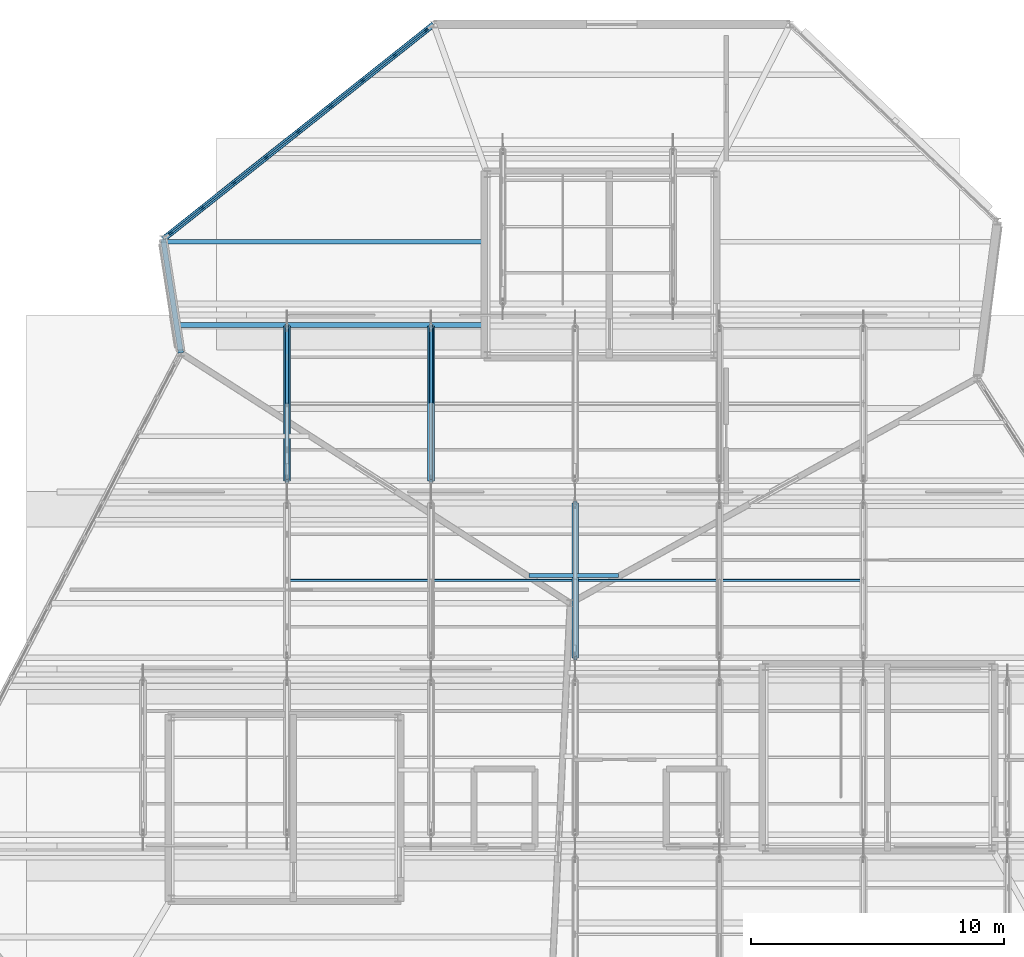
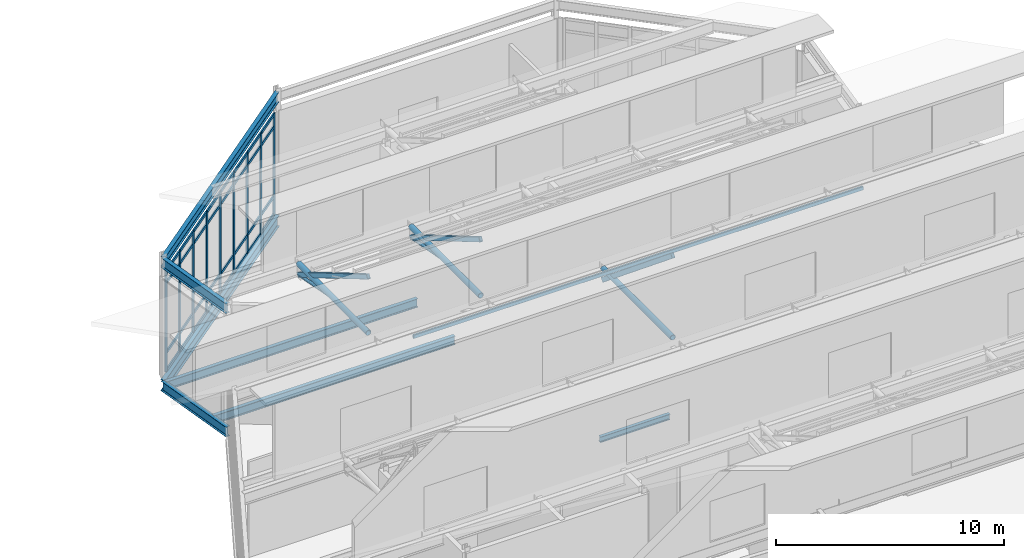
# One storey, part 27 of 55: 49 members, 8 beams, 1 element without a shape of its own.
"""IFC4 building model written with IfcOpenShell, lengths in metres."""

import ifcopenshell
import ifcopenshell.guid

model = None  # the IFC model being written
_history = None  # IfcOwnerHistory: only IFC2X3 demands one
_inside = {}  # id of a spatial element -> (the spatial element, [elements in it])
_under = {}  # id of a project, library or spatial element -> (it, [spatial elements below it])
_declared = {}  # id of a project -> (the project, [libraries it declares])
_typed = {}  # id of a type object -> (the type object, [elements of that type])
_made_of = {}  # id of a material, layer set ... -> (it, [elements and type objects made of it])


def new_model(schema):
    """Start an empty IFC model of exactly this schema.

    Asked for "IFC4X3", IfcOpenShell would pick the latest addendum, in which some entities
    have other attributes; the version numbers below select the first issue.
    IFC2X3 requires an IfcOwnerHistory on every rooted entity: one is made here for all.
    """
    global model, _history
    if schema == "IFC4X3":
        model = ifcopenshell.file(schema_version=(4, 3, 0, 0))
    else:
        model = ifcopenshell.file(schema=schema)
    _inside.clear()
    _under.clear()
    _declared.clear()
    _typed.clear()
    _made_of.clear()
    _history = None
    if model.schema == "IFC2X3":
        org = make("IfcOrganization", Name="unknown")
        user = make(
            "IfcPersonAndOrganization",
            ThePerson=make("IfcPerson", FamilyName="unknown"),
            TheOrganization=org,
        )
        app = make(
            "IfcApplication",
            ApplicationDeveloper=org,
            Version="unknown",
            ApplicationFullName="unknown",
            ApplicationIdentifier="unknown",
        )
        _history = make(
            "IfcOwnerHistory",
            OwningUser=user,
            OwningApplication=app,
            ChangeAction="ADDED",
            CreationDate=0,
        )
    return model


def make(cls, **values):
    """One entity of the class cls with the attributes given. An attribute that is None is left unset."""
    return model.create_entity(
        cls, **{name: value for name, value in values.items() if value is not None}
    )


def rooted(cls, **values):
    """An entity with a GlobalId (a new one), such as an element, a storey or a relation."""
    return make(cls, GlobalId=ifcopenshell.guid.new(), OwnerHistory=_history, **values)


def si_unit(unit_type, name, prefix=None):
    """IfcSIUnit, for example si_unit("LENGTHUNIT", "METRE", prefix="MILLI")."""
    return make("IfcSIUnit", UnitType=unit_type, Prefix=prefix, Name=name)


def assignment(units):
    """IfcUnitAssignment: the units of a project."""
    return None if units is None else make("IfcUnitAssignment", Units=units)


def point(xyz):
    """IfcCartesianPoint."""
    return None if xyz is None else make("IfcCartesianPoint", Coordinates=xyz)


def direction(xyz):
    """IfcDirection."""
    return None if xyz is None else make("IfcDirection", DirectionRatios=xyz)


def frame(location, z_axis=None, x_axis=None):
    """IfcAxis2Placement3D, a coordinate frame: its origin and axes. An axis left out is left unset."""
    return make(
        "IfcAxis2Placement3D",
        Location=point(location),
        Axis=direction(z_axis),
        RefDirection=direction(x_axis),
    )


def frame_2d(location, x_axis=None):
    """IfcAxis2Placement2D, a coordinate frame in the plane: its origin and x axis."""
    return make(
        "IfcAxis2Placement2D", Location=point(location), RefDirection=direction(x_axis)
    )


def origin():
    """The frame at (0, 0, 0) with its axes left unset."""
    return frame((0.0, 0.0, 0.0))


def origin_2d():
    """The frame at (0, 0) in the plane with its x axis left unset."""
    return frame_2d((0.0, 0.0))


def place(relative_to, where):
    """IfcLocalPlacement: puts the frame where relative to a parent placement (None: the world)."""
    return make(
        "IfcLocalPlacement", PlacementRelTo=relative_to, RelativePlacement=where
    )


def context(
    kind, dimensions, precision=None, world=None, true_north=None, identifier=None
):
    """IfcGeometricRepresentationContext, for example the 3D "Model" context."""
    return make(
        "IfcGeometricRepresentationContext",
        ContextIdentifier=identifier,
        ContextType=kind,
        CoordinateSpaceDimension=dimensions,
        Precision=precision,
        WorldCoordinateSystem=world,
        TrueNorth=true_north,
    )


def subcontext(parent, identifier, kind, view, scale=None):
    """IfcGeometricRepresentationSubContext, for example "Body" below "Model"."""
    return make(
        "IfcGeometricRepresentationSubContext",
        ContextIdentifier=identifier,
        ContextType=kind,
        ParentContext=parent,
        TargetScale=scale,
        TargetView=view,
    )


def project(units=None, contexts=None):
    """IfcProject with its units and contexts."""
    return rooted(
        "IfcProject",
        Name="project",
        RepresentationContexts=contexts,
        UnitsInContext=assignment(units),
    )


def spatial(cls, under=None, at=None, **own):
    """A site, building, storey or space (cls), placed at a placement, below another one or the project."""
    s = rooted(cls, ObjectPlacement=at, **own)
    if under is not None:
        _under.setdefault(under.id(), (under, []))[1].append(s)
    return s


def profile(cls, at=None, kind="AREA", **sizes):
    """A parametric profile (cls). Its sizes go by their IFC names, for example OverallWidth=200.0."""
    return make(cls, ProfileType=kind, Position=at, **sizes)


def rectangle(**sizes):
    """IfcRectangleProfileDef."""
    return profile("IfcRectangleProfileDef", **sizes)


def hollow_rectangle(**sizes):
    """IfcRectangleHollowProfileDef."""
    return profile("IfcRectangleHollowProfileDef", **sizes)


def hollow_circle(**sizes):
    """IfcCircleHollowProfileDef."""
    return profile("IfcCircleHollowProfileDef", **sizes)


def i_section(**sizes):
    """IfcIShapeProfileDef."""
    return profile("IfcIShapeProfileDef", **sizes)


def extrude(swept, where, along, depth):
    """IfcExtrudedAreaSolid: the profile swept, set in the frame where, extruded along a direction by depth."""
    return make(
        "IfcExtrudedAreaSolid",
        SweptArea=swept,
        Position=where,
        ExtrudedDirection=direction(along),
        Depth=depth,
    )


def shape(context_of_items, identifier, shape_type, items):
    """IfcShapeRepresentation: the items that make up one representation, for example the "Body"."""
    return make(
        "IfcShapeRepresentation",
        ContextOfItems=context_of_items,
        RepresentationIdentifier=identifier,
        RepresentationType=shape_type,
        Items=items,
    )


def material(Name=None, Category=None):
    """IfcMaterial."""
    return make("IfcMaterial", Name=Name, Category=Category)


def material_profile(
    of_material, cross_section, Name=None, Category=None, Priority=None
):
    """IfcMaterialProfile: a cross section and its material."""
    return make(
        "IfcMaterialProfile",
        Name=Name,
        Material=of_material,
        Profile=cross_section,
        Priority=Priority,
        Category=Category,
    )


def profile_set(profiles, Name=None, composite=None):
    """IfcMaterialProfileSet."""
    return make(
        "IfcMaterialProfileSet",
        Name=Name,
        MaterialProfiles=profiles,
        CompositeProfile=composite,
    )


def made_of(thing, what):
    """Note that an element or type object is made of a material, layer set ...; save() writes the relation."""
    if what is not None:
        _made_of.setdefault(what.id(), (what, []))[1].append(thing)
    return thing


def type_object(cls, material=None, **own):
    """A type object (cls), such as IfcWallType, which elements share."""
    return made_of(rooted(cls, **own), material)


def element(
    cls,
    number,
    at=None,
    inside=None,
    cuts=None,
    type_object=None,
    material=None,
    context=None,
    identifier="Body",
    shape_type=None,
    held_by="IfcProductDefinitionShape",
    body=None,
    shapes=None,
    **own,
):
    """One element of the class cls, such as IfcWall. Its Tag is "e" and its number.

    at: its placement. inside: the storey or other place that contains it. cuts: it is an
    opening in that element (IfcRelVoidsElement). A single representation is given by context,
    identifier, shape_type and body (its items); several are given by shapes. held_by: the class
    of the entity that holds the representations. save() writes the other relations.
    """
    e = rooted(cls, Tag="e%d" % number, ObjectPlacement=at, **own)
    if body is not None:
        shapes = [shape(context, identifier, shape_type, body)]
    if shapes is not None:
        e.Representation = make(held_by, Representations=shapes)
    if inside is not None:
        _inside.setdefault(inside.id(), (inside, []))[1].append(e)
    if cuts is not None:
        rooted(
            "IfcRelVoidsElement", RelatingBuildingElement=cuts, RelatedOpeningElement=e
        )
    if type_object is not None:
        _typed.setdefault(type_object.id(), (type_object, []))[1].append(e)
    return made_of(e, material)


def aggregate(whole, parts):
    """IfcRelAggregates: a whole, such as a stair, and the parts it consists of."""
    return rooted("IfcRelAggregates", RelatingObject=whole, RelatedObjects=parts)


def save(model, path):
    """Write the relations noted so far, then the file.

    IfcRelAggregates (storeys below a building ...), IfcRelContainedInSpatialStructure (elements
    in a storey), IfcRelDefinesByType, IfcRelAssociatesMaterial and IfcRelDeclares: one each for
    every whole, place, type object, material and project.
    """
    for whole, parts in _under.values():
        aggregate(whole, parts)
    for where, things in _inside.values():
        rooted(
            "IfcRelContainedInSpatialStructure",
            RelatedElements=things,
            RelatingStructure=where,
        )
    for kind, things in _typed.values():
        rooted("IfcRelDefinesByType", RelatedObjects=things, RelatingType=kind)
    for what, things in _made_of.values():
        rooted("IfcRelAssociatesMaterial", RelatedObjects=things, RelatingMaterial=what)
    for by, libraries in _declared.values():
        rooted("IfcRelDeclares", RelatingContext=by, RelatedDefinitions=libraries)
    model.write(path)


model = new_model("IFC4")

# Units and contexts
model_context = context("Model", 3, precision=1e-05, world=origin(), true_north=direction((0.0, 1.0)))
body_context = subcontext(model_context, "Body", "Model", "MODEL_VIEW")
ifc_project = project(units=[si_unit("LENGTHUNIT", "METRE"), si_unit("AREAUNIT", "SQUARE_METRE"), si_unit("VOLUMEUNIT", "CUBIC_METRE"), si_unit("PLANEANGLEUNIT", "RADIAN"), si_unit("MASSUNIT", "GRAM", prefix="KILO")], contexts=[model_context])

# Site, building, storey
site_placement = place(None, origin())
site = spatial("IfcSite", under=ifc_project, at=site_placement, CompositionType="ELEMENT")
building_placement = place(site_placement, origin())
building = spatial("IfcBuilding", under=site, at=building_placement, Name="Tameran Prism Museum", CompositionType="ELEMENT")
storey_placement = place(building_placement, frame((0.0, 0.0, 28.800048828125)))
storey = spatial("IfcBuildingStorey", under=building, at=storey_placement, Name="L05", CompositionType="ELEMENT", Elevation=28.800048828125)

# Beams
ifc_material_1 = material(Name="Steel Grade 300PLUS (300 MPa)", Category="steel")
ifc_material_profile_1 = material_profile(ifc_material_1, i_section(OverallWidth=0.1650390625, OverallDepth=0.303955078125, WebThickness=0.006103515625, FlangeThickness=0.01025390625, FilletRadius=0.011474609375, at=origin_2d()))
ifc_profile_set_1 = profile_set([ifc_material_profile_1])
beam_type_1 = type_object("IfcBeamType", Name="BM-J310B", PredefinedType="JOIST", material=ifc_profile_set_1)
beam_1_placement = place(storey_placement, frame((117.1630859375, 90.199951171875, -0.39208984375), z_axis=(1.0, 0.0, 0.0), x_axis=(0.0, 1.0, 0.0)))
element("IfcBeam", 1, at=beam_1_placement, inside=storey, type_object=beam_type_1, Name="Floor Beam BM-1306", PredefinedType="JOIST", context=body_context, shape_type="SweptSolid", body=[
    extrude(i_section(OverallWidth=0.1650390625, OverallDepth=0.303955078125, WebThickness=0.006103515625, FlangeThickness=0.01025390625, FilletRadius=0.011474609375, at=origin_2d()), origin(), (0.0, 0.0, 1.0), 3.5439453125),
])
ifc_material_2 = material(Name="Steel Grade 300PLUS (300 MPa)", Category="steel")
ifc_material_profile_2 = material_profile(ifc_material_2, i_section(OverallWidth=0.18994140625, OverallDepth=0.4541015625, WebThickness=0.008544921875, FlangeThickness=0.0126953125, FilletRadius=0.011474609375, at=origin_2d()))
ifc_profile_set_2 = profile_set([ifc_material_profile_2])
beam_type_2 = type_object("IfcBeamType", Name="BM-J460B", PredefinedType="JOIST", material=ifc_profile_set_2)
beam_2_placement = place(storey_placement, frame((103.26904296875, 100.10009765625, -0.467041015625), z_axis=(1.0, 0.0, 0.0), x_axis=(0.0, 1.0, 0.0)))
element("IfcBeam", 2, at=beam_2_placement, inside=storey, type_object=beam_type_2, Name="Floor Beam BM-1309", PredefinedType="JOIST", context=body_context, shape_type="SweptSolid", body=[
    extrude(i_section(OverallWidth=0.18994140625, OverallDepth=0.4541015625, WebThickness=0.008544921875, FlangeThickness=0.0126953125, FilletRadius=0.011474609375, at=origin_2d()), origin(), (0.0, 0.0, 1.0), 12.2509765625),
])
beam_3_placement = place(storey_placement, frame((102.756103515625, 103.39990234375, -0.467041015625), z_axis=(1.0, 0.0, 0.0), x_axis=(0.0, 1.0, 0.0)))
element("IfcBeam", 3, at=beam_3_placement, inside=storey, type_object=beam_type_2, Name="Floor Beam BM-1311", PredefinedType="JOIST", context=body_context, shape_type="SweptSolid", body=[
    extrude(i_section(OverallWidth=0.18994140625, OverallDepth=0.4541015625, WebThickness=0.008544921875, FlangeThickness=0.0126953125, FilletRadius=0.011474609375, at=origin_2d()), origin(), (0.0, 0.0, 1.0), 12.763916015625),
])
ifc_material_3 = material(Name="Steel Grade C350L0 (350 MPa)", Category="steel")
ifc_material_profile_3 = material_profile(ifc_material_3, hollow_rectangle(XDim=0.10009765625, YDim=0.199951171875, WallThickness=0.008056640625, InnerFilletRadius=0.011962890625, OuterFilletRadius=0.02001953125, at=origin_2d()))
ifc_profile_set_3 = profile_set([ifc_material_profile_3])
beam_type_3 = type_object("IfcBeamType", Name="BM-PUR200", PredefinedType="USERDEFINED", material=ifc_profile_set_3)
beam_4_placement = place(storey_placement, frame((107.60009765625, 90.0, 8.571044921875), z_axis=(1.0, 0.0, 0.0), x_axis=(0.0, 1.0, 0.0)))
element("IfcBeam", 4, at=beam_4_placement, inside=storey, type_object=beam_type_3, Name="Sawtooth Purlin PR-014", ObjectType="PURLIN", PredefinedType="USERDEFINED", context=body_context, shape_type="SweptSolid", body=[
    extrude(hollow_rectangle(XDim=0.10009765625, YDim=0.199951171875, WallThickness=0.008056640625, InnerFilletRadius=0.011962890625, OuterFilletRadius=0.02001953125, at=origin_2d()), origin(), (0.0, 0.0, 1.0), 22.7998046875),
])
ifc_material_4 = material(Name="Steel Grade 300PLUS (300 MPa)", Category="steel")
ifc_material_profile_4 = material_profile(ifc_material_4, i_section(OverallWidth=0.208984375, OverallDepth=0.528076171875, WebThickness=0.009521484375, FlangeThickness=0.01318359375, FilletRadius=0.013916015625, at=origin_2d()))
ifc_profile_set_4 = profile_set([ifc_material_profile_4])
beam_type_4 = type_object("IfcBeamType", Name="BM-SP530B", PredefinedType="SPANDREL", material=ifc_profile_set_4)
beam_5_placement = place(storey_placement, frame((102.699951171875, 103.5, -0.504150390625), z_axis=(0.153696537817, -0.988118097326, 0.0), x_axis=(0.988118097326, 0.153696537817, 0.0)))
element("IfcBeam", 5, at=beam_5_placement, inside=storey, type_object=beam_type_4, Name="Perimeter Spandrel SP-1265", PredefinedType="SPANDREL", context=body_context, shape_type="SweptSolid", body=[
    extrude(i_section(OverallWidth=0.208984375, OverallDepth=0.528076171875, WebThickness=0.009521484375, FlangeThickness=0.01318359375, FilletRadius=0.013916015625, at=origin_2d()), origin(), (0.0, 0.0, 1.0), 4.55419921875),
])
beam_6_placement = place(storey_placement, frame((113.39990234375, 112.0, 6.10595703125), z_axis=(-0.783004636427, -0.62201586743, 0.0), x_axis=(0.62201586743, -0.783004636427, 0.0)))
element("IfcBeam", 6, at=beam_6_placement, inside=storey, type_object=beam_type_4, Name="Roof Ring Beam RB-1269", PredefinedType="SPANDREL", context=body_context, shape_type="SweptSolid", body=[
    extrude(i_section(OverallWidth=0.208984375, OverallDepth=0.528076171875, WebThickness=0.009521484375, FlangeThickness=0.01318359375, FilletRadius=0.013916015625, at=origin_2d()), origin(), (0.0, 0.0, 1.0), 13.665283203125),
])
beam_7_placement = place(storey_placement, frame((102.699951171875, 103.5, 6.10595703125), z_axis=(0.153696537817, -0.988118097326, 0.0), x_axis=(0.988118097326, 0.153696537817, 0.0)))
element("IfcBeam", 7, at=beam_7_placement, inside=storey, type_object=beam_type_4, Name="Roof Ring Beam RB-1270", PredefinedType="SPANDREL", context=body_context, shape_type="SweptSolid", body=[
    extrude(i_section(OverallWidth=0.208984375, OverallDepth=0.528076171875, WebThickness=0.009521484375, FlangeThickness=0.01318359375, FilletRadius=0.013916015625, at=origin_2d()), origin(), (0.0, 0.0, 1.0), 4.55419921875),
])
ifc_material_5 = material(Name="Steel Grade 300PLUS (300 MPa)", Category="steel")
ifc_material_profile_5 = material_profile(ifc_material_5, i_section(OverallWidth=0.22802734375, OverallDepth=0.60205078125, WebThickness=0.010498046875, FlangeThickness=0.014892578125, FilletRadius=0.013916015625, at=origin_2d()))
ifc_profile_set_5 = profile_set([ifc_material_profile_5])
beam_type_5 = type_object("IfcBeamType", Name="BM-SP610", PredefinedType="SPANDREL", material=ifc_profile_set_5)
beam_8_placement = place(storey_placement, frame((113.39990234375, 112.0, -0.541015625), z_axis=(-0.783004636427, -0.62201586743, 0.0), x_axis=(0.62201586743, -0.783004636427, 0.0)))
element("IfcBeam", 8, at=beam_8_placement, inside=storey, type_object=beam_type_5, Name="Perimeter Spandrel SP-1264", PredefinedType="SPANDREL", context=body_context, shape_type="SweptSolid", body=[
    extrude(i_section(OverallWidth=0.22802734375, OverallDepth=0.60205078125, WebThickness=0.010498046875, FlangeThickness=0.014892578125, FilletRadius=0.013916015625, at=origin_2d()), origin(), (0.0, 0.0, 1.0), 13.665283203125),
])

# Curtain wall, members
ifc_material_6 = material(Name="Anodised Aluminium 6063-T6 and Cyclone Solar Glass", Category="aluminium")
curtain_wall_type = type_object("IfcCurtainWallType", Name="CW-FAC-1296x542", PredefinedType="USERDEFINED", material=ifc_material_6)
curtain_wall_placement = place(storey_placement, origin())
curtain_wall = element("IfcCurtainWall", 9, at=curtain_wall_placement, inside=storey, type_object=curtain_wall_type, Name="Unitised Curtain Wall CW-168", ObjectType="UNITISED CURTAIN WALL", PredefinedType="USERDEFINED")
ifc_material_7 = material(Name="Anodised Aluminium Alloy 6063-T6", Category="aluminium")
ifc_material_profile_6 = material_profile(ifc_material_7, rectangle(XDim=0.070068359375, YDim=0.179931640625, at=origin_2d()))
ifc_profile_set_6 = profile_set([ifc_material_profile_6])
member_type_1 = type_object("IfcMemberType", Name="CW-MUL-B", PredefinedType="MULLION", material=ifc_profile_set_6)
member_1_placement = place(storey_placement, frame((103.00146484375, 103.73974609375, 0.0), z_axis=(0.0, 0.0, 1.0), x_axis=(-0.621982306183, 0.783031296178, 0.0)))
member_1 = element("IfcMember", 10, at=member_1_placement, type_object=member_type_1, Name="CW-168 mullion 1", PredefinedType="MULLION", context=body_context, shape_type="SweptSolid", body=[
    extrude(rectangle(XDim=0.070068359375, YDim=0.179931640625, at=origin_2d()), origin(), (0.0, 0.0, 1.0), 5.419921875),
])
member_2_placement = place(storey_placement, frame((104.242919921875, 104.72607421875, 0.0), z_axis=(0.0, 0.0, 1.0), x_axis=(-0.621982306183, 0.783031296178, 0.0)))
member_2 = element("IfcMember", 11, at=member_2_placement, type_object=member_type_1, Name="CW-168 mullion 2", PredefinedType="MULLION", context=body_context, shape_type="SweptSolid", body=[
    extrude(rectangle(XDim=0.070068359375, YDim=0.179931640625, at=origin_2d()), origin(), (0.0, 0.0, 1.0), 5.419921875),
])
member_3_placement = place(storey_placement, frame((105.511962890625, 105.73388671875, 0.0), z_axis=(0.0, 0.0, 1.0), x_axis=(-0.621982306183, 0.783031296178, 0.0)))
member_3 = element("IfcMember", 12, at=member_3_placement, type_object=member_type_1, Name="CW-168 mullion 3", PredefinedType="MULLION", context=body_context, shape_type="SweptSolid", body=[
    extrude(rectangle(XDim=0.070068359375, YDim=0.179931640625, at=origin_2d()), origin(), (0.0, 0.0, 1.0), 5.419921875),
])
member_4_placement = place(storey_placement, frame((106.781005859375, 106.741943359375, 0.0), z_axis=(0.0, 0.0, 1.0), x_axis=(-0.621982306183, 0.783031296178, 0.0)))
member_4 = element("IfcMember", 13, at=member_4_placement, type_object=member_type_1, Name="CW-168 mullion 4", PredefinedType="MULLION", context=body_context, shape_type="SweptSolid", body=[
    extrude(rectangle(XDim=0.070068359375, YDim=0.179931640625, at=origin_2d()), origin(), (0.0, 0.0, 1.0), 5.419921875),
])
member_5_placement = place(storey_placement, frame((108.050048828125, 107.75, 0.0), z_axis=(0.0, 0.0, 1.0), x_axis=(-0.621982306183, 0.783031296178, 0.0)))
member_5 = element("IfcMember", 14, at=member_5_placement, type_object=member_type_1, Name="CW-168 mullion 5", PredefinedType="MULLION", context=body_context, shape_type="SweptSolid", body=[
    extrude(rectangle(XDim=0.070068359375, YDim=0.179931640625, at=origin_2d()), origin(), (0.0, 0.0, 1.0), 5.419921875),
])
member_6_placement = place(storey_placement, frame((109.319091796875, 108.758056640625, 0.0), z_axis=(0.0, 0.0, 1.0), x_axis=(-0.621982306183, 0.783031296178, 0.0)))
member_6 = element("IfcMember", 15, at=member_6_placement, type_object=member_type_1, Name="CW-168 mullion 6", PredefinedType="MULLION", context=body_context, shape_type="SweptSolid", body=[
    extrude(rectangle(XDim=0.070068359375, YDim=0.179931640625, at=origin_2d()), origin(), (0.0, 0.0, 1.0), 5.419921875),
])
member_7_placement = place(storey_placement, frame((110.587890625, 109.76611328125, 0.0), z_axis=(0.0, 0.0, 1.0), x_axis=(-0.621982306183, 0.783031296178, 0.0)))
member_7 = element("IfcMember", 16, at=member_7_placement, type_object=member_type_1, Name="CW-168 mullion 7", PredefinedType="MULLION", context=body_context, shape_type="SweptSolid", body=[
    extrude(rectangle(XDim=0.070068359375, YDim=0.179931640625, at=origin_2d()), origin(), (0.0, 0.0, 1.0), 5.419921875),
])
member_8_placement = place(storey_placement, frame((111.85693359375, 110.77392578125, 0.0), z_axis=(0.0, 0.0, 1.0), x_axis=(-0.621982306183, 0.783031296178, 0.0)))
member_8 = element("IfcMember", 17, at=member_8_placement, type_object=member_type_1, Name="CW-168 mullion 8", PredefinedType="MULLION", context=body_context, shape_type="SweptSolid", body=[
    extrude(rectangle(XDim=0.070068359375, YDim=0.179931640625, at=origin_2d()), origin(), (0.0, 0.0, 1.0), 5.419921875),
])
member_9_placement = place(storey_placement, frame((113.0986328125, 111.76025390625, 0.0), z_axis=(0.0, 0.0, 1.0), x_axis=(-0.621982306183, 0.783031296178, 0.0)))
member_9 = element("IfcMember", 18, at=member_9_placement, type_object=member_type_1, Name="CW-168 mullion 9", PredefinedType="MULLION", context=body_context, shape_type="SweptSolid", body=[
    extrude(rectangle(XDim=0.070068359375, YDim=0.179931640625, at=origin_2d()), origin(), (0.0, 0.0, 1.0), 5.419921875),
])
ifc_material_8 = material(Name="Anodised Aluminium Alloy 6063-T6", Category="aluminium")
ifc_material_profile_7 = material_profile(ifc_material_8, rectangle(XDim=0.070068359375, YDim=0.155029296875, at=origin_2d()))
ifc_profile_set_7 = profile_set([ifc_material_profile_7])
member_type_2 = type_object("IfcMemberType", Name="CW-TRN-B", PredefinedType="USERDEFINED", material=ifc_profile_set_7)
member_10_placement = place(storey_placement, frame((103.02880859375, 103.761474609375, 0.034912109375), z_axis=(0.782970092549, 0.622059349398, 0.0), x_axis=(-0.622059349398, 0.782970092549, 0.0)))
member_10 = element("IfcMember", 19, at=member_10_placement, type_object=member_type_2, Name="CW-168 transom 1.1", ObjectType="TRANSOM", PredefinedType="USERDEFINED", context=body_context, shape_type="SweptSolid", body=[
    extrude(rectangle(XDim=0.070068359375, YDim=0.155029296875, at=origin_2d()), origin(), (0.0, 0.0, 1.0), 1.515625),
])
member_11_placement = place(storey_placement, frame((103.02880859375, 103.761474609375, 1.0), z_axis=(0.782970092549, 0.622059349398, 0.0), x_axis=(-0.622059349398, 0.782970092549, 0.0)))
member_11 = element("IfcMember", 20, at=member_11_placement, type_object=member_type_2, Name="CW-168 transom 1.2", ObjectType="TRANSOM", PredefinedType="USERDEFINED", context=body_context, shape_type="SweptSolid", body=[
    extrude(rectangle(XDim=0.070068359375, YDim=0.155029296875, at=origin_2d()), origin(), (0.0, 0.0, 1.0), 1.515625),
])
member_12_placement = place(storey_placement, frame((103.02880859375, 103.761474609375, 4.739990234375), z_axis=(0.782970092549, 0.622059349398, 0.0), x_axis=(-0.622059349398, 0.782970092549, 0.0)))
member_12 = element("IfcMember", 21, at=member_12_placement, type_object=member_type_2, Name="CW-168 transom 1.3", ObjectType="TRANSOM", PredefinedType="USERDEFINED", context=body_context, shape_type="SweptSolid", body=[
    extrude(rectangle(XDim=0.070068359375, YDim=0.155029296875, at=origin_2d()), origin(), (0.0, 0.0, 1.0), 1.515625),
])
member_13_placement = place(storey_placement, frame((103.02880859375, 103.761474609375, 5.385009765625), z_axis=(0.782970092549, 0.622059349398, 0.0), x_axis=(-0.622059349398, 0.782970092549, 0.0)))
member_13 = element("IfcMember", 22, at=member_13_placement, type_object=member_type_2, Name="CW-168 transom 1.4", ObjectType="TRANSOM", PredefinedType="USERDEFINED", context=body_context, shape_type="SweptSolid", body=[
    extrude(rectangle(XDim=0.070068359375, YDim=0.155029296875, at=origin_2d()), origin(), (0.0, 0.0, 1.0), 1.515625),
])
member_14_placement = place(storey_placement, frame((104.2705078125, 104.747802734375, 0.034912109375), z_axis=(0.783045436968, 0.621964503524, 0.0), x_axis=(-0.621964503524, 0.783045436968, 0.0)))
member_14 = element("IfcMember", 23, at=member_14_placement, type_object=member_type_2, Name="CW-168 transom 2.1", ObjectType="TRANSOM", PredefinedType="USERDEFINED", context=body_context, shape_type="SweptSolid", body=[
    extrude(rectangle(XDim=0.070068359375, YDim=0.155029296875, at=origin_2d()), origin(), (0.0, 0.0, 1.0), 1.550537109375),
])
member_15_placement = place(storey_placement, frame((104.2705078125, 104.747802734375, 1.0), z_axis=(0.783045436968, 0.621964503524, 0.0), x_axis=(-0.621964503524, 0.783045436968, 0.0)))
member_15 = element("IfcMember", 24, at=member_15_placement, type_object=member_type_2, Name="CW-168 transom 2.2", ObjectType="TRANSOM", PredefinedType="USERDEFINED", context=body_context, shape_type="SweptSolid", body=[
    extrude(rectangle(XDim=0.070068359375, YDim=0.155029296875, at=origin_2d()), origin(), (0.0, 0.0, 1.0), 1.550537109375),
])
member_16_placement = place(storey_placement, frame((104.2705078125, 104.747802734375, 4.739990234375), z_axis=(0.783045436968, 0.621964503524, 0.0), x_axis=(-0.621964503524, 0.783045436968, 0.0)))
member_16 = element("IfcMember", 25, at=member_16_placement, type_object=member_type_2, Name="CW-168 transom 2.3", ObjectType="TRANSOM", PredefinedType="USERDEFINED", context=body_context, shape_type="SweptSolid", body=[
    extrude(rectangle(XDim=0.070068359375, YDim=0.155029296875, at=origin_2d()), origin(), (0.0, 0.0, 1.0), 1.550537109375),
])
member_17_placement = place(storey_placement, frame((104.2705078125, 104.747802734375, 5.385009765625), z_axis=(0.783045436968, 0.621964503524, 0.0), x_axis=(-0.621964503524, 0.783045436968, 0.0)))
member_17 = element("IfcMember", 26, at=member_17_placement, type_object=member_type_2, Name="CW-168 transom 2.4", ObjectType="TRANSOM", PredefinedType="USERDEFINED", context=body_context, shape_type="SweptSolid", body=[
    extrude(rectangle(XDim=0.070068359375, YDim=0.155029296875, at=origin_2d()), origin(), (0.0, 0.0, 1.0), 1.550537109375),
])
member_18_placement = place(storey_placement, frame((105.539306640625, 105.755859375, 0.034912109375), z_axis=(0.783106337261, 0.621887823117, 0.0), x_axis=(-0.621887823117, 0.783106337261, 0.0)))
member_18 = element("IfcMember", 27, at=member_18_placement, type_object=member_type_2, Name="CW-168 transom 3.1", ObjectType="TRANSOM", PredefinedType="USERDEFINED", context=body_context, shape_type="SweptSolid", body=[
    extrude(rectangle(XDim=0.070068359375, YDim=0.155029296875, at=origin_2d()), origin(), (0.0, 0.0, 1.0), 1.55078125),
])
member_19_placement = place(storey_placement, frame((105.539306640625, 105.755859375, 1.0), z_axis=(0.783106337261, 0.621887823117, 0.0), x_axis=(-0.621887823117, 0.783106337261, 0.0)))
member_19 = element("IfcMember", 28, at=member_19_placement, type_object=member_type_2, Name="CW-168 transom 3.2", ObjectType="TRANSOM", PredefinedType="USERDEFINED", context=body_context, shape_type="SweptSolid", body=[
    extrude(rectangle(XDim=0.070068359375, YDim=0.155029296875, at=origin_2d()), origin(), (0.0, 0.0, 1.0), 1.55078125),
])
member_20_placement = place(storey_placement, frame((105.539306640625, 105.755859375, 4.739990234375), z_axis=(0.783106337261, 0.621887823117, 0.0), x_axis=(-0.621887823117, 0.783106337261, 0.0)))
member_20 = element("IfcMember", 29, at=member_20_placement, type_object=member_type_2, Name="CW-168 transom 3.3", ObjectType="TRANSOM", PredefinedType="USERDEFINED", context=body_context, shape_type="SweptSolid", body=[
    extrude(rectangle(XDim=0.070068359375, YDim=0.155029296875, at=origin_2d()), origin(), (0.0, 0.0, 1.0), 1.55078125),
])
member_21_placement = place(storey_placement, frame((105.539306640625, 105.755859375, 5.385009765625), z_axis=(0.783106337261, 0.621887823117, 0.0), x_axis=(-0.621887823117, 0.783106337261, 0.0)))
member_21 = element("IfcMember", 30, at=member_21_placement, type_object=member_type_2, Name="CW-168 transom 3.4", ObjectType="TRANSOM", PredefinedType="USERDEFINED", context=body_context, shape_type="SweptSolid", body=[
    extrude(rectangle(XDim=0.070068359375, YDim=0.155029296875, at=origin_2d()), origin(), (0.0, 0.0, 1.0), 1.55078125),
])
member_22_placement = place(storey_placement, frame((106.808349609375, 106.763671875, 0.034912109375), z_axis=(0.783029664883, 0.621984359862, 0.0), x_axis=(-0.621984359862, 0.783029664883, 0.0)))
member_22 = element("IfcMember", 31, at=member_22_placement, type_object=member_type_2, Name="CW-168 transom 4.1", ObjectType="TRANSOM", PredefinedType="USERDEFINED", context=body_context, shape_type="SweptSolid", body=[
    extrude(rectangle(XDim=0.070068359375, YDim=0.155029296875, at=origin_2d()), origin(), (0.0, 0.0, 1.0), 1.55078125),
])
member_23_placement = place(storey_placement, frame((106.808349609375, 106.763671875, 1.0), z_axis=(0.783029664883, 0.621984359862, 0.0), x_axis=(-0.621984359862, 0.783029664883, 0.0)))
member_23 = element("IfcMember", 32, at=member_23_placement, type_object=member_type_2, Name="CW-168 transom 4.2", ObjectType="TRANSOM", PredefinedType="USERDEFINED", context=body_context, shape_type="SweptSolid", body=[
    extrude(rectangle(XDim=0.070068359375, YDim=0.155029296875, at=origin_2d()), origin(), (0.0, 0.0, 1.0), 1.55078125),
])
member_24_placement = place(storey_placement, frame((106.808349609375, 106.763671875, 4.739990234375), z_axis=(0.783029664883, 0.621984359862, 0.0), x_axis=(-0.621984359862, 0.783029664883, 0.0)))
member_24 = element("IfcMember", 33, at=member_24_placement, type_object=member_type_2, Name="CW-168 transom 4.3", ObjectType="TRANSOM", PredefinedType="USERDEFINED", context=body_context, shape_type="SweptSolid", body=[
    extrude(rectangle(XDim=0.070068359375, YDim=0.155029296875, at=origin_2d()), origin(), (0.0, 0.0, 1.0), 1.55078125),
])
member_25_placement = place(storey_placement, frame((106.808349609375, 106.763671875, 5.385009765625), z_axis=(0.783029664883, 0.621984359862, 0.0), x_axis=(-0.621984359862, 0.783029664883, 0.0)))
member_25 = element("IfcMember", 34, at=member_25_placement, type_object=member_type_2, Name="CW-168 transom 4.4", ObjectType="TRANSOM", PredefinedType="USERDEFINED", context=body_context, shape_type="SweptSolid", body=[
    extrude(rectangle(XDim=0.070068359375, YDim=0.155029296875, at=origin_2d()), origin(), (0.0, 0.0, 1.0), 1.55078125),
])
member_26_placement = place(storey_placement, frame((108.077392578125, 107.771728515625, 0.034912109375), z_axis=(0.782968751648, 0.622061037153, 0.0), x_axis=(-0.622061037153, 0.782968751648, 0.0)))
member_26 = element("IfcMember", 35, at=member_26_placement, type_object=member_type_2, Name="CW-168 transom 5.1", ObjectType="TRANSOM", PredefinedType="USERDEFINED", context=body_context, shape_type="SweptSolid", body=[
    extrude(rectangle(XDim=0.070068359375, YDim=0.155029296875, at=origin_2d()), origin(), (0.0, 0.0, 1.0), 1.550537109375),
])
member_27_placement = place(storey_placement, frame((108.077392578125, 107.771728515625, 1.0), z_axis=(0.782968751648, 0.622061037153, 0.0), x_axis=(-0.622061037153, 0.782968751648, 0.0)))
member_27 = element("IfcMember", 36, at=member_27_placement, type_object=member_type_2, Name="CW-168 transom 5.2", ObjectType="TRANSOM", PredefinedType="USERDEFINED", context=body_context, shape_type="SweptSolid", body=[
    extrude(rectangle(XDim=0.070068359375, YDim=0.155029296875, at=origin_2d()), origin(), (0.0, 0.0, 1.0), 1.550537109375),
])
member_28_placement = place(storey_placement, frame((108.077392578125, 107.771728515625, 4.739990234375), z_axis=(0.782968751648, 0.622061037153, 0.0), x_axis=(-0.622061037153, 0.782968751648, 0.0)))
member_28 = element("IfcMember", 37, at=member_28_placement, type_object=member_type_2, Name="CW-168 transom 5.3", ObjectType="TRANSOM", PredefinedType="USERDEFINED", context=body_context, shape_type="SweptSolid", body=[
    extrude(rectangle(XDim=0.070068359375, YDim=0.155029296875, at=origin_2d()), origin(), (0.0, 0.0, 1.0), 1.550537109375),
])
member_29_placement = place(storey_placement, frame((108.077392578125, 107.771728515625, 5.385009765625), z_axis=(0.782968751648, 0.622061037153, 0.0), x_axis=(-0.622061037153, 0.782968751648, 0.0)))
member_29 = element("IfcMember", 38, at=member_29_placement, type_object=member_type_2, Name="CW-168 transom 5.4", ObjectType="TRANSOM", PredefinedType="USERDEFINED", context=body_context, shape_type="SweptSolid", body=[
    extrude(rectangle(XDim=0.070068359375, YDim=0.155029296875, at=origin_2d()), origin(), (0.0, 0.0, 1.0), 1.550537109375),
])
member_30_placement = place(storey_placement, frame((109.346435546875, 108.77978515625, 0.034912109375), z_axis=(0.783045436968, 0.621964503524, 0.0), x_axis=(-0.621964503524, 0.783045436968, 0.0)))
member_30 = element("IfcMember", 39, at=member_30_placement, type_object=member_type_2, Name="CW-168 transom 6.1", ObjectType="TRANSOM", PredefinedType="USERDEFINED", context=body_context, shape_type="SweptSolid", body=[
    extrude(rectangle(XDim=0.070068359375, YDim=0.155029296875, at=origin_2d()), origin(), (0.0, 0.0, 1.0), 1.550537109375),
])
member_31_placement = place(storey_placement, frame((109.346435546875, 108.77978515625, 1.0), z_axis=(0.783045436968, 0.621964503524, 0.0), x_axis=(-0.621964503524, 0.783045436968, 0.0)))
member_31 = element("IfcMember", 40, at=member_31_placement, type_object=member_type_2, Name="CW-168 transom 6.2", ObjectType="TRANSOM", PredefinedType="USERDEFINED", context=body_context, shape_type="SweptSolid", body=[
    extrude(rectangle(XDim=0.070068359375, YDim=0.155029296875, at=origin_2d()), origin(), (0.0, 0.0, 1.0), 1.550537109375),
])
member_32_placement = place(storey_placement, frame((109.346435546875, 108.77978515625, 4.739990234375), z_axis=(0.783045436968, 0.621964503524, 0.0), x_axis=(-0.621964503524, 0.783045436968, 0.0)))
member_32 = element("IfcMember", 41, at=member_32_placement, type_object=member_type_2, Name="CW-168 transom 6.3", ObjectType="TRANSOM", PredefinedType="USERDEFINED", context=body_context, shape_type="SweptSolid", body=[
    extrude(rectangle(XDim=0.070068359375, YDim=0.155029296875, at=origin_2d()), origin(), (0.0, 0.0, 1.0), 1.550537109375),
])
member_33_placement = place(storey_placement, frame((109.346435546875, 108.77978515625, 5.385009765625), z_axis=(0.783045436968, 0.621964503524, 0.0), x_axis=(-0.621964503524, 0.783045436968, 0.0)))
member_33 = element("IfcMember", 42, at=member_33_placement, type_object=member_type_2, Name="CW-168 transom 6.4", ObjectType="TRANSOM", PredefinedType="USERDEFINED", context=body_context, shape_type="SweptSolid", body=[
    extrude(rectangle(XDim=0.070068359375, YDim=0.155029296875, at=origin_2d()), origin(), (0.0, 0.0, 1.0), 1.550537109375),
])
member_34_placement = place(storey_placement, frame((110.615478515625, 109.787841796875, 0.034912109375), z_axis=(0.783045436968, 0.621964503524, 0.0), x_axis=(-0.621964503524, 0.783045436968, 0.0)))
member_34 = element("IfcMember", 43, at=member_34_placement, type_object=member_type_2, Name="CW-168 transom 7.1", ObjectType="TRANSOM", PredefinedType="USERDEFINED", context=body_context, shape_type="SweptSolid", body=[
    extrude(rectangle(XDim=0.070068359375, YDim=0.155029296875, at=origin_2d()), origin(), (0.0, 0.0, 1.0), 1.550537109375),
])
member_35_placement = place(storey_placement, frame((110.615478515625, 109.787841796875, 1.0), z_axis=(0.783045436968, 0.621964503524, 0.0), x_axis=(-0.621964503524, 0.783045436968, 0.0)))
member_35 = element("IfcMember", 44, at=member_35_placement, type_object=member_type_2, Name="CW-168 transom 7.2", ObjectType="TRANSOM", PredefinedType="USERDEFINED", context=body_context, shape_type="SweptSolid", body=[
    extrude(rectangle(XDim=0.070068359375, YDim=0.155029296875, at=origin_2d()), origin(), (0.0, 0.0, 1.0), 1.550537109375),
])
member_36_placement = place(storey_placement, frame((110.615478515625, 109.787841796875, 4.739990234375), z_axis=(0.783045436968, 0.621964503524, 0.0), x_axis=(-0.621964503524, 0.783045436968, 0.0)))
member_36 = element("IfcMember", 45, at=member_36_placement, type_object=member_type_2, Name="CW-168 transom 7.3", ObjectType="TRANSOM", PredefinedType="USERDEFINED", context=body_context, shape_type="SweptSolid", body=[
    extrude(rectangle(XDim=0.070068359375, YDim=0.155029296875, at=origin_2d()), origin(), (0.0, 0.0, 1.0), 1.550537109375),
])
member_37_placement = place(storey_placement, frame((110.615478515625, 109.787841796875, 5.385009765625), z_axis=(0.783045436968, 0.621964503524, 0.0), x_axis=(-0.621964503524, 0.783045436968, 0.0)))
member_37 = element("IfcMember", 46, at=member_37_placement, type_object=member_type_2, Name="CW-168 transom 7.4", ObjectType="TRANSOM", PredefinedType="USERDEFINED", context=body_context, shape_type="SweptSolid", body=[
    extrude(rectangle(XDim=0.070068359375, YDim=0.155029296875, at=origin_2d()), origin(), (0.0, 0.0, 1.0), 1.550537109375),
])
member_38_placement = place(storey_placement, frame((111.884521484375, 110.795654296875, 0.034912109375), z_axis=(0.782970092549, 0.622059349398, 0.0), x_axis=(-0.622059349398, 0.782970092549, 0.0)))
member_38 = element("IfcMember", 47, at=member_38_placement, type_object=member_type_2, Name="CW-168 transom 8.1", ObjectType="TRANSOM", PredefinedType="USERDEFINED", context=body_context, shape_type="SweptSolid", body=[
    extrude(rectangle(XDim=0.070068359375, YDim=0.155029296875, at=origin_2d()), origin(), (0.0, 0.0, 1.0), 1.515625),
])
member_39_placement = place(storey_placement, frame((111.884521484375, 110.795654296875, 1.0), z_axis=(0.782970092549, 0.622059349398, 0.0), x_axis=(-0.622059349398, 0.782970092549, 0.0)))
member_39 = element("IfcMember", 48, at=member_39_placement, type_object=member_type_2, Name="CW-168 transom 8.2", ObjectType="TRANSOM", PredefinedType="USERDEFINED", context=body_context, shape_type="SweptSolid", body=[
    extrude(rectangle(XDim=0.070068359375, YDim=0.155029296875, at=origin_2d()), origin(), (0.0, 0.0, 1.0), 1.515625),
])
member_40_placement = place(storey_placement, frame((111.884521484375, 110.795654296875, 4.739990234375), z_axis=(0.782970092549, 0.622059349398, 0.0), x_axis=(-0.622059349398, 0.782970092549, 0.0)))
member_40 = element("IfcMember", 49, at=member_40_placement, type_object=member_type_2, Name="CW-168 transom 8.3", ObjectType="TRANSOM", PredefinedType="USERDEFINED", context=body_context, shape_type="SweptSolid", body=[
    extrude(rectangle(XDim=0.070068359375, YDim=0.155029296875, at=origin_2d()), origin(), (0.0, 0.0, 1.0), 1.515625),
])
member_41_placement = place(storey_placement, frame((111.884521484375, 110.795654296875, 5.385009765625), z_axis=(0.782970092549, 0.622059349398, 0.0), x_axis=(-0.622059349398, 0.782970092549, 0.0)))
member_41 = element("IfcMember", 50, at=member_41_placement, type_object=member_type_2, Name="CW-168 transom 8.4", ObjectType="TRANSOM", PredefinedType="USERDEFINED", context=body_context, shape_type="SweptSolid", body=[
    extrude(rectangle(XDim=0.070068359375, YDim=0.155029296875, at=origin_2d()), origin(), (0.0, 0.0, 1.0), 1.515625),
])
aggregate(curtain_wall, [member_1, member_2, member_3, member_4, member_5, member_6, member_7, member_8, member_9, member_10, member_11, member_12, member_13, member_14, member_15, member_16, member_17, member_18, member_19, member_20, member_21, member_22, member_23, member_24, member_25, member_26, member_27, member_28, member_29, member_30, member_31, member_32, member_33, member_34, member_35, member_36, member_37, member_38, member_39, member_40, member_41])

# Members
ifc_material_9 = material(Name="Steel Grade C350L0 (350 MPa)", Category="steel")
ifc_material_profile_8 = material_profile(ifc_material_9, hollow_circle(Radius=0.084228515625, WallThickness=0.007080078125, at=origin_2d()))
ifc_profile_set_8 = profile_set([ifc_material_profile_8])
member_type_3 = type_object("IfcMemberType", Name="MM-BR-CHS168", PredefinedType="BRACE", material=ifc_profile_set_8)
for number, where, z_axis, x_axis, name in (
    (51, (107.60009765625, 97.0, 6.385986328125), (0.0, 0.982674587879, -0.185339295177), (-1.0, 0.0, 0.0), "Sawtooth Brace STM-0118"),
    (52, (113.300048828125, 97.0, 6.385986328125), (0.0, 0.982674587879, -0.185339295177), (-1.0, 0.0, 0.0), "Sawtooth Brace STM-0125"),
):
    element("IfcMember", number, at=place(storey_placement, frame(where, z_axis=z_axis, x_axis=x_axis)), inside=storey, type_object=member_type_3, Name=name, PredefinedType="BRACE", context=body_context, shape_type="SweptSolid", body=[
        extrude(hollow_circle(Radius=0.084228515625, WallThickness=0.007080078125, at=origin_2d()), origin(), (0.0, 0.0, 1.0), 3.114013671875),
    ])
ifc_material_10 = material(Name="Steel Grade C350L0 (350 MPa)", Category="steel")
ifc_material_profile_9 = material_profile(ifc_material_10, hollow_circle(Radius=0.136474609375, WallThickness=0.00927734375, at=origin_2d()))
ifc_profile_set_9 = profile_set([ifc_material_profile_9])
member_type_4 = type_object("IfcMemberType", Name="MM-CH-CHS273", PredefinedType="CHORD", material=ifc_profile_set_9)
for number, where, z_axis, x_axis, name in (
    (53, (119.0, 86.93994140625, 6.385986328125), (0.0, 1.0, 0.0), (-1.0, 0.0, 0.0), "Sawtooth Chord STM-0092"),
    (54, (107.60009765625, 93.93994140625, 6.385986328125), (0.0, 1.0, 0.0), (-1.0, 0.0, 0.0), "Sawtooth Chord STM-0113"),
    (55, (113.300048828125, 93.93994140625, 6.385986328125), (0.0, 1.0, 0.0), (-1.0, 0.0, 0.0), "Sawtooth Chord STM-0120"),
):
    element("IfcMember", number, at=place(storey_placement, frame(where, z_axis=z_axis, x_axis=x_axis)), inside=storey, type_object=member_type_4, Name=name, PredefinedType="CHORD", context=body_context, shape_type="SweptSolid", body=[
        extrude(hollow_circle(Radius=0.136474609375, WallThickness=0.00927734375, at=origin_2d()), origin(), (0.0, 0.0, 1.0), 6.1201171875),
    ])
ifc_material_11 = material(Name="Steel Grade C350L0 (350 MPa)", Category="steel")
ifc_material_profile_10 = material_profile(ifc_material_11, hollow_rectangle(XDim=0.14990234375, YDim=0.25, WallThickness=0.009033203125, InnerFilletRadius=0.013427734375, OuterFilletRadius=0.0224609375, at=origin_2d()))
ifc_profile_set_10 = profile_set([ifc_material_profile_10])
member_type_5 = type_object("IfcMemberType", Name="MM-RF-RHS250", PredefinedType="RAFTER", material=ifc_profile_set_10)
member_42_placement = place(storey_placement, frame((119.0, 86.93994140625, 10.787841796875), z_axis=(0.0, 0.774414062505, -0.632679112817), x_axis=(-1.0, 0.0, 0.0)))
element("IfcMember", 56, at=member_42_placement, inside=storey, type_object=member_type_5, Name="Sawtooth Rafter STM-0093", PredefinedType="RAFTER", context=body_context, shape_type="SweptSolid", body=[
    extrude(hollow_rectangle(XDim=0.14990234375, YDim=0.25, WallThickness=0.009033203125, InnerFilletRadius=0.013427734375, OuterFilletRadius=0.0224609375, at=origin_2d()), origin(), (0.0, 0.0, 1.0), 7.90283203125),
])
for number, where, z_axis, x_axis, name in (
    (57, (107.60009765625, 93.93994140625, 9.408935546875), (0.0, 0.861932447349, -0.507023131826), (-1.0, 0.0, 0.0), "Sawtooth Rafter STM-0114"),
    (58, (113.300048828125, 93.93994140625, 9.408935546875), (0.0, 0.861932447349, -0.507023131826), (-1.0, 0.0, 0.0), "Sawtooth Rafter STM-0121"),
):
    element("IfcMember", number, at=place(storey_placement, frame(where, z_axis=z_axis, x_axis=x_axis)), inside=storey, type_object=member_type_5, Name=name, PredefinedType="RAFTER", context=body_context, shape_type="SweptSolid", body=[
        extrude(hollow_rectangle(XDim=0.14990234375, YDim=0.25, WallThickness=0.009033203125, InnerFilletRadius=0.013427734375, OuterFilletRadius=0.0224609375, at=origin_2d()), origin(), (0.0, 0.0, 1.0), 7.100341796875),
    ])

save(model, "model.ifc")
